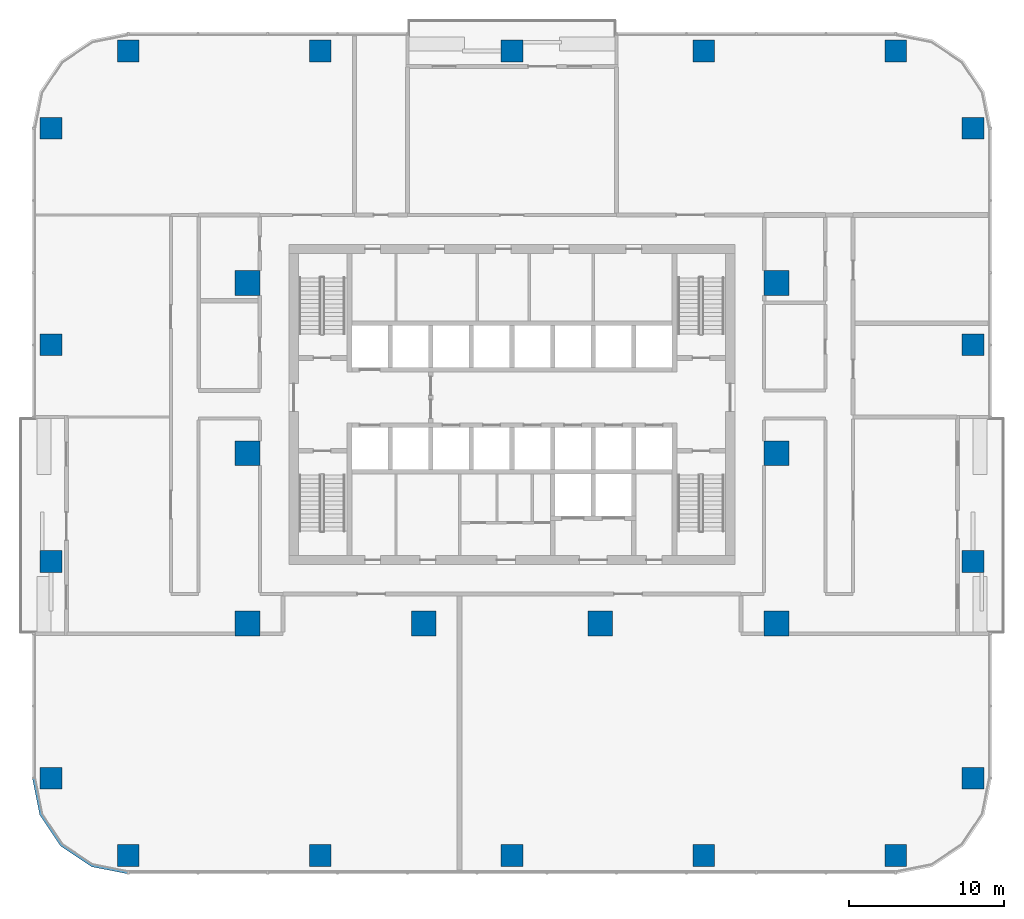
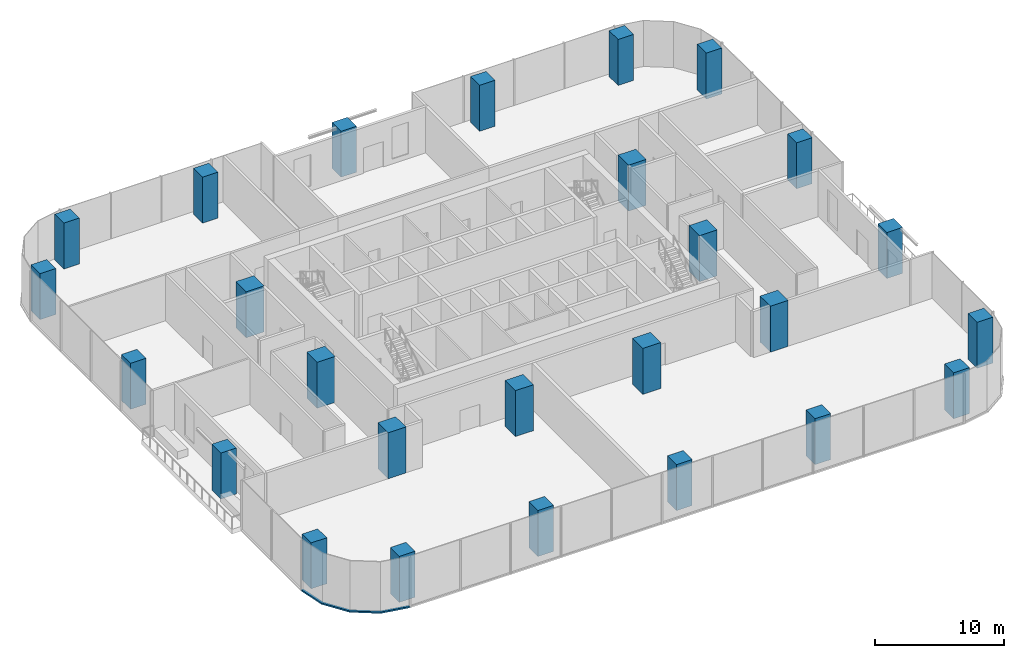
# One storey, part 1 of 14: 26 columns, 1 member, 1 element without a shape of its own.
"""IFC4 building model written with IfcOpenShell, lengths in metres."""

import ifcopenshell
import ifcopenshell.guid

model = None  # the IFC model being written
_history = None  # IfcOwnerHistory: only IFC2X3 demands one
_inside = {}  # id of a spatial element -> (the spatial element, [elements in it])
_under = {}  # id of a project, library or spatial element -> (it, [spatial elements below it])
_declared = {}  # id of a project -> (the project, [libraries it declares])
_typed = {}  # id of a type object -> (the type object, [elements of that type])
_made_of = {}  # id of a material, layer set ... -> (it, [elements and type objects made of it])


def new_model(schema):
    """Start an empty IFC model of exactly this schema.

    Asked for "IFC4X3", IfcOpenShell would pick the latest addendum, in which some entities
    have other attributes; the version numbers below select the first issue.
    IFC2X3 requires an IfcOwnerHistory on every rooted entity: one is made here for all.
    """
    global model, _history
    if schema == "IFC4X3":
        model = ifcopenshell.file(schema_version=(4, 3, 0, 0))
    else:
        model = ifcopenshell.file(schema=schema)
    _inside.clear()
    _under.clear()
    _declared.clear()
    _typed.clear()
    _made_of.clear()
    _history = None
    if model.schema == "IFC2X3":
        org = make("IfcOrganization", Name="unknown")
        user = make(
            "IfcPersonAndOrganization",
            ThePerson=make("IfcPerson", FamilyName="unknown"),
            TheOrganization=org,
        )
        app = make(
            "IfcApplication",
            ApplicationDeveloper=org,
            Version="unknown",
            ApplicationFullName="unknown",
            ApplicationIdentifier="unknown",
        )
        _history = make(
            "IfcOwnerHistory",
            OwningUser=user,
            OwningApplication=app,
            ChangeAction="ADDED",
            CreationDate=0,
        )
    return model


def make(cls, **values):
    """One entity of the class cls with the attributes given. An attribute that is None is left unset."""
    return model.create_entity(
        cls, **{name: value for name, value in values.items() if value is not None}
    )


def rooted(cls, **values):
    """An entity with a GlobalId (a new one), such as an element, a storey or a relation."""
    return make(cls, GlobalId=ifcopenshell.guid.new(), OwnerHistory=_history, **values)


def si_unit(unit_type, name, prefix=None):
    """IfcSIUnit, for example si_unit("LENGTHUNIT", "METRE", prefix="MILLI")."""
    return make("IfcSIUnit", UnitType=unit_type, Prefix=prefix, Name=name)


def assignment(units):
    """IfcUnitAssignment: the units of a project."""
    return None if units is None else make("IfcUnitAssignment", Units=units)


def point(xyz):
    """IfcCartesianPoint."""
    return None if xyz is None else make("IfcCartesianPoint", Coordinates=xyz)


def direction(xyz):
    """IfcDirection."""
    return None if xyz is None else make("IfcDirection", DirectionRatios=xyz)


def frame(location, z_axis=None, x_axis=None):
    """IfcAxis2Placement3D, a coordinate frame: its origin and axes. An axis left out is left unset."""
    return make(
        "IfcAxis2Placement3D",
        Location=point(location),
        Axis=direction(z_axis),
        RefDirection=direction(x_axis),
    )


def frame_2d(location, x_axis=None):
    """IfcAxis2Placement2D, a coordinate frame in the plane: its origin and x axis."""
    return make(
        "IfcAxis2Placement2D", Location=point(location), RefDirection=direction(x_axis)
    )


def origin():
    """The frame at (0, 0, 0) with its axes left unset."""
    return frame((0.0, 0.0, 0.0))


def origin_2d():
    """The frame at (0, 0) in the plane with its x axis left unset."""
    return frame_2d((0.0, 0.0))


def place(relative_to, where):
    """IfcLocalPlacement: puts the frame where relative to a parent placement (None: the world)."""
    return make(
        "IfcLocalPlacement", PlacementRelTo=relative_to, RelativePlacement=where
    )


def context(
    kind, dimensions, precision=None, world=None, true_north=None, identifier=None
):
    """IfcGeometricRepresentationContext, for example the 3D "Model" context."""
    return make(
        "IfcGeometricRepresentationContext",
        ContextIdentifier=identifier,
        ContextType=kind,
        CoordinateSpaceDimension=dimensions,
        Precision=precision,
        WorldCoordinateSystem=world,
        TrueNorth=true_north,
    )


def subcontext(parent, identifier, kind, view, scale=None):
    """IfcGeometricRepresentationSubContext, for example "Body" below "Model"."""
    return make(
        "IfcGeometricRepresentationSubContext",
        ContextIdentifier=identifier,
        ContextType=kind,
        ParentContext=parent,
        TargetScale=scale,
        TargetView=view,
    )


def project(units=None, contexts=None):
    """IfcProject with its units and contexts."""
    return rooted(
        "IfcProject",
        Name="project",
        RepresentationContexts=contexts,
        UnitsInContext=assignment(units),
    )


def spatial(cls, under=None, at=None, **own):
    """A site, building, storey or space (cls), placed at a placement, below another one or the project."""
    s = rooted(cls, ObjectPlacement=at, **own)
    if under is not None:
        _under.setdefault(under.id(), (under, []))[1].append(s)
    return s


def polyline(points):
    """IfcPolyline through the points."""
    return make("IfcPolyline", Points=[point(p) for p in points])


def profile(cls, at=None, kind="AREA", **sizes):
    """A parametric profile (cls). Its sizes go by their IFC names, for example OverallWidth=200.0."""
    return make(cls, ProfileType=kind, Position=at, **sizes)


def rectangle(**sizes):
    """IfcRectangleProfileDef."""
    return profile("IfcRectangleProfileDef", **sizes)


def outline(outer, holes=None, kind="AREA"):
    """IfcArbitraryClosedProfileDef: a profile drawn as a closed curve; with holes, ...WithVoids."""
    if holes is None:
        return make("IfcArbitraryClosedProfileDef", ProfileType=kind, OuterCurve=outer)
    return make(
        "IfcArbitraryProfileDefWithVoids",
        ProfileType=kind,
        OuterCurve=outer,
        InnerCurves=holes,
    )


def extrude(swept, where, along, depth):
    """IfcExtrudedAreaSolid: the profile swept, set in the frame where, extruded along a direction by depth."""
    return make(
        "IfcExtrudedAreaSolid",
        SweptArea=swept,
        Position=where,
        ExtrudedDirection=direction(along),
        Depth=depth,
    )


def shape(context_of_items, identifier, shape_type, items):
    """IfcShapeRepresentation: the items that make up one representation, for example the "Body"."""
    return make(
        "IfcShapeRepresentation",
        ContextOfItems=context_of_items,
        RepresentationIdentifier=identifier,
        RepresentationType=shape_type,
        Items=items,
    )


def material(Name=None, Category=None):
    """IfcMaterial."""
    return make("IfcMaterial", Name=Name, Category=Category)


def material_profile(
    of_material, cross_section, Name=None, Category=None, Priority=None
):
    """IfcMaterialProfile: a cross section and its material."""
    return make(
        "IfcMaterialProfile",
        Name=Name,
        Material=of_material,
        Profile=cross_section,
        Priority=Priority,
        Category=Category,
    )


def profile_set(profiles, Name=None, composite=None):
    """IfcMaterialProfileSet."""
    return make(
        "IfcMaterialProfileSet",
        Name=Name,
        MaterialProfiles=profiles,
        CompositeProfile=composite,
    )


def made_of(thing, what):
    """Note that an element or type object is made of a material, layer set ...; save() writes the relation."""
    if what is not None:
        _made_of.setdefault(what.id(), (what, []))[1].append(thing)
    return thing


def type_object(cls, material=None, **own):
    """A type object (cls), such as IfcWallType, which elements share."""
    return made_of(rooted(cls, **own), material)


def element(
    cls,
    number,
    at=None,
    inside=None,
    cuts=None,
    type_object=None,
    material=None,
    context=None,
    identifier="Body",
    shape_type=None,
    held_by="IfcProductDefinitionShape",
    body=None,
    shapes=None,
    **own,
):
    """One element of the class cls, such as IfcWall. Its Tag is "e" and its number.

    at: its placement. inside: the storey or other place that contains it. cuts: it is an
    opening in that element (IfcRelVoidsElement). A single representation is given by context,
    identifier, shape_type and body (its items); several are given by shapes. held_by: the class
    of the entity that holds the representations. save() writes the other relations.
    """
    e = rooted(cls, Tag="e%d" % number, ObjectPlacement=at, **own)
    if body is not None:
        shapes = [shape(context, identifier, shape_type, body)]
    if shapes is not None:
        e.Representation = make(held_by, Representations=shapes)
    if inside is not None:
        _inside.setdefault(inside.id(), (inside, []))[1].append(e)
    if cuts is not None:
        rooted(
            "IfcRelVoidsElement", RelatingBuildingElement=cuts, RelatedOpeningElement=e
        )
    if type_object is not None:
        _typed.setdefault(type_object.id(), (type_object, []))[1].append(e)
    return made_of(e, material)


def aggregate(whole, parts):
    """IfcRelAggregates: a whole, such as a stair, and the parts it consists of."""
    return rooted("IfcRelAggregates", RelatingObject=whole, RelatedObjects=parts)


def save(model, path):
    """Write the relations noted so far, then the file.

    IfcRelAggregates (storeys below a building ...), IfcRelContainedInSpatialStructure (elements
    in a storey), IfcRelDefinesByType, IfcRelAssociatesMaterial and IfcRelDeclares: one each for
    every whole, place, type object, material and project.
    """
    for whole, parts in _under.values():
        aggregate(whole, parts)
    for where, things in _inside.values():
        rooted(
            "IfcRelContainedInSpatialStructure",
            RelatedElements=things,
            RelatingStructure=where,
        )
    for kind, things in _typed.values():
        rooted("IfcRelDefinesByType", RelatedObjects=things, RelatingType=kind)
    for what, things in _made_of.values():
        rooted("IfcRelAssociatesMaterial", RelatedObjects=things, RelatingMaterial=what)
    for by, libraries in _declared.values():
        rooted("IfcRelDeclares", RelatingContext=by, RelatedDefinitions=libraries)
    model.write(path)


model = new_model("IFC4")

# Units and contexts
model_context = context("Model", 3, precision=1e-05, world=origin(), true_north=direction((0.0, 1.0)))
body_context = subcontext(model_context, "Body", "Model", "MODEL_VIEW")
ifc_project = project(units=[si_unit("LENGTHUNIT", "METRE"), si_unit("AREAUNIT", "SQUARE_METRE"), si_unit("VOLUMEUNIT", "CUBIC_METRE"), si_unit("PLANEANGLEUNIT", "RADIAN"), si_unit("MASSUNIT", "GRAM", prefix="KILO")], contexts=[model_context])

# Site, building, storey
site_placement = place(None, origin())
site = spatial("IfcSite", under=ifc_project, at=site_placement, CompositionType="ELEMENT")
building_placement = place(site_placement, origin())
building = spatial("IfcBuilding", under=site, at=building_placement, Name="Mopane Tessera Tower", CompositionType="ELEMENT")
storey_placement = place(building_placement, frame((0.0, 0.0, 50.199951171875)))
storey = spatial("IfcBuildingStorey", under=building, at=storey_placement, Name="L09", CompositionType="ELEMENT", Elevation=50.199951171875)

# Columns
ifc_material_1 = material(Name="Concrete C60/75", Category="concrete")
ifc_material_profile_1 = material_profile(ifc_material_1, rectangle(XDim=1.60009765625, YDim=1.60009765625, at=origin_2d()))
ifc_profile_set_1 = profile_set([ifc_material_profile_1], Name="Concrete C60/75")
column_type_1 = type_object("IfcColumnType", Name="Interior column 1600 x 1600 C60/75", PredefinedType="COLUMN", material=ifc_profile_set_1)
for number, where, z_axis, x_axis, name in (
    (1, (-17.10009765625, -11.0, 0.0), (0.0, 0.0, 1.0), (1.0, 0.0, 0.0), "Interior column I1A L09"),
    (2, (-17.10009765625, 0.0, 0.0), (0.0, 0.0, 1.0), (1.0, 0.0, 0.0), "Interior column I1B L09"),
    (3, (-17.10009765625, 11.0, 0.0), (0.0, 0.0, 1.0), (1.0, 0.0, 0.0), "Interior column I1C L09"),
    (4, (-5.699951171875, -11.0, 0.0), (0.0, 0.0, 1.0), (1.0, 0.0, 0.0), "Interior column I2A L09"),
    (5, (5.699951171875, -11.0, 0.0), (0.0, 0.0, 1.0), (1.0, 0.0, 0.0), "Interior column I3A L09"),
    (6, (17.10009765625, -11.0, 0.0), (0.0, 0.0, 1.0), (1.0, 0.0, 0.0), "Interior column I4A L09"),
    (7, (17.10009765625, 0.0, 0.0), (0.0, 0.0, 1.0), (1.0, 0.0, 0.0), "Interior column I4B L09"),
    (8, (17.10009765625, 11.0, 0.0), (0.0, 0.0, 1.0), (1.0, 0.0, 0.0), "Interior column I4C L09"),
):
    element("IfcColumn", number, at=place(storey_placement, frame(where, z_axis=z_axis, x_axis=x_axis)), inside=storey, type_object=column_type_1, Name=name, PredefinedType="COLUMN", context=body_context, shape_type="SweptSolid", body=[
        extrude(rectangle(XDim=1.60009765625, YDim=1.60009765625, at=origin_2d()), origin(), (0.0, 0.0, 1.0), 4.35009765625),
    ])
ifc_material_2 = material(Name="Concrete C60/75", Category="concrete")
ifc_material_profile_2 = material_profile(ifc_material_2, rectangle(XDim=1.39990234375, YDim=1.39990234375, at=origin_2d()))
ifc_profile_set_2 = profile_set([ifc_material_profile_2], Name="Concrete C60/75")
column_type_2 = type_object("IfcColumnType", Name="Ring column 1400 x 1400 C60/75", PredefinedType="COLUMN", material=ifc_profile_set_2)
for number, where, z_axis, x_axis, name in (
    (9, (-24.800048828125, -26.0, 0.0), (0.0, 0.0, 1.0), (1.0, 0.0, 0.0), "Ring column S0 L09"),
    (10, (-12.39990234375, -26.0, 0.0), (0.0, 0.0, 1.0), (1.0, 0.0, 0.0), "Ring column S1 L09"),
    (11, (0.0, -26.0, 0.0), (0.0, 0.0, 1.0), (1.0, 0.0, 0.0), "Ring column S2 L09"),
    (12, (12.39990234375, -26.0, 0.0), (0.0, 0.0, 1.0), (1.0, 0.0, 0.0), "Ring column S3 L09"),
    (13, (24.800048828125, -26.0, 0.0), (0.0, 0.0, 1.0), (1.0, 0.0, 0.0), "Ring column S4 L09"),
    (14, (29.800048828125, -21.0, 0.0), (0.0, 0.0, 1.0), (1.0, 0.0, 0.0), "Ring column E0 L09"),
    (15, (29.800048828125, -7.0, 0.0), (0.0, 0.0, 1.0), (1.0, 0.0, 0.0), "Ring column E1 L09"),
    (16, (29.800048828125, 7.0, 0.0), (0.0, 0.0, 1.0), (1.0, 0.0, 0.0), "Ring column E2 L09"),
    (17, (29.800048828125, 21.0, 0.0), (0.0, 0.0, 1.0), (1.0, 0.0, 0.0), "Ring column E3 L09"),
    (18, (24.800048828125, 26.0, 0.0), (0.0, 0.0, 1.0), (1.0, 0.0, 0.0), "Ring column N0 L09"),
    (19, (12.39990234375, 26.0, 0.0), (0.0, 0.0, 1.0), (1.0, 0.0, 0.0), "Ring column N1 L09"),
    (20, (0.0, 26.0, 0.0), (0.0, 0.0, 1.0), (1.0, 0.0, 0.0), "Ring column N2 L09"),
    (21, (-12.39990234375, 26.0, 0.0), (0.0, 0.0, 1.0), (1.0, 0.0, 0.0), "Ring column N3 L09"),
    (22, (-24.800048828125, 26.0, 0.0), (0.0, 0.0, 1.0), (1.0, 0.0, 0.0), "Ring column N4 L09"),
    (23, (-29.800048828125, 21.0, 0.0), (0.0, 0.0, 1.0), (1.0, 0.0, 0.0), "Ring column W0 L09"),
    (24, (-29.800048828125, 7.0, 0.0), (0.0, 0.0, 1.0), (1.0, 0.0, 0.0), "Ring column W1 L09"),
    (25, (-29.800048828125, -7.0, 0.0), (0.0, 0.0, 1.0), (1.0, 0.0, 0.0), "Ring column W2 L09"),
    (26, (-29.800048828125, -21.0, 0.0), (0.0, 0.0, 1.0), (1.0, 0.0, 0.0), "Ring column W3 L09"),
):
    element("IfcColumn", number, at=place(storey_placement, frame(where, z_axis=z_axis, x_axis=x_axis)), inside=storey, type_object=column_type_2, Name=name, PredefinedType="COLUMN", context=body_context, shape_type="SweptSolid", body=[
        extrude(rectangle(XDim=1.39990234375, YDim=1.39990234375, at=origin_2d()), origin(), (0.0, 0.0, 1.0), 4.35009765625),
    ])

# Curtain wall, member
ifc_material_3 = material(Name="Aluminium frame", Category="aluminium")
curtain_wall_type = type_object("IfcCurtainWallType", Name="Lower tower unitised wall", PredefinedType="NOTDEFINED", material=ifc_material_3)
curtain_wall_placement = place(storey_placement, origin())
curtain_wall = element("IfcCurtainWall", 27, at=curtain_wall_placement, inside=storey, type_object=curtain_wall_type, Name="e:cw:L09:CW", PredefinedType="NOTDEFINED")
ifc_material_4 = material(Name="Aluminium frame", Category="aluminium")
ifc_material_profile_3 = material_profile(ifc_material_4, rectangle(XDim=0.199951171875, YDim=0.139892578125, at=origin_2d()))
ifc_profile_set_3 = profile_set([ifc_material_profile_3], Name="Aluminium frame")
member_type = type_object("IfcMemberType", Name="Aluminium transom 200 x 140", PredefinedType="USERDEFINED", material=ifc_profile_set_3)
member_placement = place(storey_placement, frame((0.0, 0.0, -0.449951171875)))
member = element("IfcMember", 28, at=member_placement, type_object=member_type, Name="e:cw:L09:CW:tr", ObjectType="TRANSOM", PredefinedType="USERDEFINED", context=body_context, shape_type="SweptSolid", body=[
    extrude(outline(polyline([(-30.800048828125, -21.0), (-30.34326171875, -23.296142578125), (-29.042724609375, -25.24267578125), (-27.09619140625, -26.543212890625), (-24.800048828125, -27.0), (-24.800048828125, -27.199951171875), (-27.172607421875, -26.72802734375), (-29.18408203125, -25.384033203125), (-30.528076171875, -23.37255859375), (-31.0, -21.0), (-30.800048828125, -21.0)])), origin(), (0.0, 0.0, 1.0), 0.139892578125),
])
aggregate(curtain_wall, [member])

save(model, "model.ifc")
